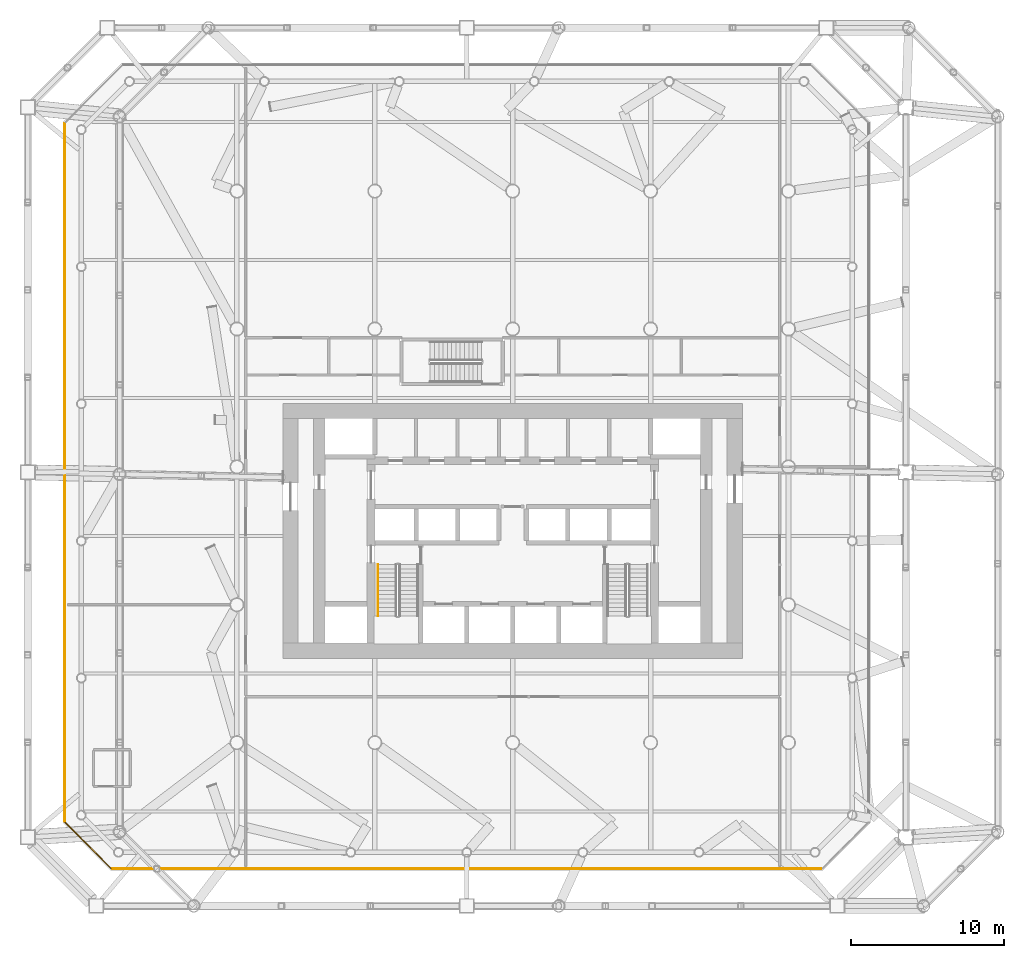
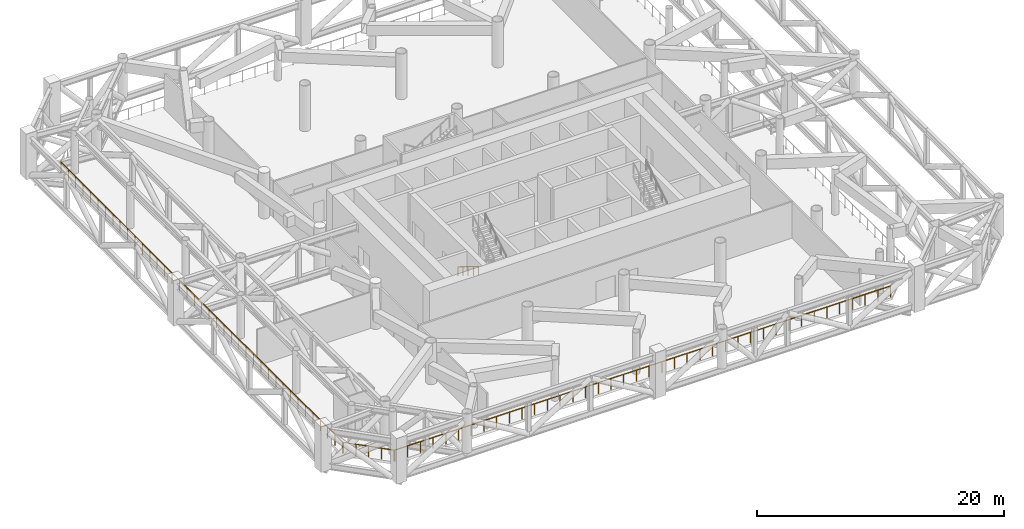
# One storey, part 17 of 22: 4 railings.
"""IFC4 building model written with IfcOpenShell, lengths in metres."""

from ifc_helpers import new_model, si_unit, direction, frame, origin, origin_2d, place, context, subcontext, project, spatial, circle, extrude, material, type_object, element, save


model = new_model("IFC4")

# Units and contexts
model_context = context("Model", 3, precision=1e-05, world=origin(), true_north=direction((0.0, 1.0)))
body_context = subcontext(model_context, "Body", "Model", "MODEL_VIEW")
ifc_project = project(units=[si_unit("LENGTHUNIT", "METRE"), si_unit("AREAUNIT", "SQUARE_METRE"), si_unit("VOLUMEUNIT", "CUBIC_METRE"), si_unit("PLANEANGLEUNIT", "RADIAN"), si_unit("MASSUNIT", "GRAM", prefix="KILO")], contexts=[model_context])

# Site, building, storey
site_placement = place(None, origin())
site = spatial("IfcSite", under=ifc_project, at=site_placement, CompositionType="ELEMENT")
building_placement = place(site_placement, origin())
building = spatial("IfcBuilding", under=site, at=building_placement, Name="Tskaro Facet Tower", CompositionType="ELEMENT")
storey_placement = place(building_placement, frame((0.0, 0.0, 57.60009765625)))
storey = spatial("IfcBuildingStorey", under=building, at=storey_placement, Name="L13", CompositionType="ELEMENT", Elevation=57.60009765625)

# Railings
ifc_material_1 = material(Name="Bronze anodised aluminium 6063-T6", Category="aluminium")
railing_type_1 = type_object("IfcRailingType", Name="Bronze guard rail (GD1)", PredefinedType="GUARDRAIL", material=ifc_material_1)
railing_1_placement = place(storey_placement, frame((-26.131103515625, -26.237060546875, 0.0)))
element("IfcRailing", 1, at=railing_1_placement, inside=storey, type_object=railing_type_1, Name="Guard L13", PredefinedType="GUARDRAIL", context=body_context, shape_type="SweptSolid", body=[
    extrude(circle(Radius=0.02490234375, at=origin_2d()), frame((0.0, 0.0, 1.0751953125), z_axis=(1.0, 0.0, 0.0), x_axis=(0.0, 1.0, 0.0)), (0.0, 0.0, 1.0), 46.26220703125),
    extrude(circle(Radius=0.02001953125, at=origin_2d()), origin(), (0.0, 0.0, 1.0), 1.050048828125),
    extrude(circle(Radius=0.02001953125, at=origin_2d()), frame((1.186279296875, 0.0, 0.0)), (0.0, 0.0, 1.0), 1.050048828125),
    extrude(circle(Radius=0.02001953125, at=origin_2d()), frame((2.372314453125, 0.0, 0.0)), (0.0, 0.0, 1.0), 1.050048828125),
    extrude(circle(Radius=0.02001953125, at=origin_2d()), frame((3.55859375, 0.0, 0.0)), (0.0, 0.0, 1.0), 1.050048828125),
    extrude(circle(Radius=0.02001953125, at=origin_2d()), frame((4.744873046875, 0.0, 0.0)), (0.0, 0.0, 1.0), 1.050048828125),
    extrude(circle(Radius=0.02001953125, at=origin_2d()), frame((5.93115234375, 0.0, 0.0)), (0.0, 0.0, 1.0), 1.050048828125),
    extrude(circle(Radius=0.02001953125, at=origin_2d()), frame((7.1171875, 0.0, 0.0)), (0.0, 0.0, 1.0), 1.050048828125),
    extrude(circle(Radius=0.02001953125, at=origin_2d()), frame((8.303466796875, 0.0, 0.0)), (0.0, 0.0, 1.0), 1.050048828125),
    extrude(circle(Radius=0.02001953125, at=origin_2d()), frame((9.48974609375, 0.0, 0.0)), (0.0, 0.0, 1.0), 1.050048828125),
    extrude(circle(Radius=0.02001953125, at=origin_2d()), frame((10.67578125, 0.0, 0.0)), (0.0, 0.0, 1.0), 1.050048828125),
    extrude(circle(Radius=0.02001953125, at=origin_2d()), frame((11.862060546875, 0.0, 0.0)), (0.0, 0.0, 1.0), 1.050048828125),
    extrude(circle(Radius=0.02001953125, at=origin_2d()), frame((13.04833984375, 0.0, 0.0)), (0.0, 0.0, 1.0), 1.050048828125),
    extrude(circle(Radius=0.02001953125, at=origin_2d()), frame((14.234619140625, 0.0, 0.0)), (0.0, 0.0, 1.0), 1.050048828125),
    extrude(circle(Radius=0.02001953125, at=origin_2d()), frame((15.420654296875, 0.0, 0.0)), (0.0, 0.0, 1.0), 1.050048828125),
    extrude(circle(Radius=0.02001953125, at=origin_2d()), frame((16.60693359375, 0.0, 0.0)), (0.0, 0.0, 1.0), 1.050048828125),
    extrude(circle(Radius=0.02001953125, at=origin_2d()), frame((17.793212890625, 0.0, 0.0)), (0.0, 0.0, 1.0), 1.050048828125),
    extrude(circle(Radius=0.02001953125, at=origin_2d()), frame((18.979248046875, 0.0, 0.0)), (0.0, 0.0, 1.0), 1.050048828125),
    extrude(circle(Radius=0.02001953125, at=origin_2d()), frame((20.16552734375, 0.0, 0.0)), (0.0, 0.0, 1.0), 1.050048828125),
    extrude(circle(Radius=0.02001953125, at=origin_2d()), frame((21.351806640625, 0.0, 0.0)), (0.0, 0.0, 1.0), 1.050048828125),
    extrude(circle(Radius=0.02001953125, at=origin_2d()), frame((22.5380859375, 0.0, 0.0)), (0.0, 0.0, 1.0), 1.050048828125),
    extrude(circle(Radius=0.02001953125, at=origin_2d()), frame((23.72412109375, 0.0, 0.0)), (0.0, 0.0, 1.0), 1.050048828125),
    extrude(circle(Radius=0.02001953125, at=origin_2d()), frame((24.910400390625, 0.0, 0.0)), (0.0, 0.0, 1.0), 1.050048828125),
    extrude(circle(Radius=0.02001953125, at=origin_2d()), frame((26.0966796875, 0.0, 0.0)), (0.0, 0.0, 1.0), 1.050048828125),
    extrude(circle(Radius=0.02001953125, at=origin_2d()), frame((27.282958984375, 0.0, 0.0)), (0.0, 0.0, 1.0), 1.050048828125),
    extrude(circle(Radius=0.02001953125, at=origin_2d()), frame((28.468994140625, 0.0, 0.0)), (0.0, 0.0, 1.0), 1.050048828125),
    extrude(circle(Radius=0.02001953125, at=origin_2d()), frame((29.6552734375, 0.0, 0.0)), (0.0, 0.0, 1.0), 1.050048828125),
    extrude(circle(Radius=0.02001953125, at=origin_2d()), frame((30.841552734375, 0.0, 0.0)), (0.0, 0.0, 1.0), 1.050048828125),
    extrude(circle(Radius=0.02001953125, at=origin_2d()), frame((32.027587890625, 0.0, 0.0)), (0.0, 0.0, 1.0), 1.050048828125),
    extrude(circle(Radius=0.02001953125, at=origin_2d()), frame((33.2138671875, 0.0, 0.0)), (0.0, 0.0, 1.0), 1.050048828125),
    extrude(circle(Radius=0.02001953125, at=origin_2d()), frame((34.400146484375, 0.0, 0.0)), (0.0, 0.0, 1.0), 1.050048828125),
    extrude(circle(Radius=0.02001953125, at=origin_2d()), frame((35.58642578125, 0.0, 0.0)), (0.0, 0.0, 1.0), 1.050048828125),
    extrude(circle(Radius=0.02001953125, at=origin_2d()), frame((36.7724609375, 0.0, 0.0)), (0.0, 0.0, 1.0), 1.050048828125),
    extrude(circle(Radius=0.02001953125, at=origin_2d()), frame((37.958740234375, 0.0, 0.0)), (0.0, 0.0, 1.0), 1.050048828125),
    extrude(circle(Radius=0.02001953125, at=origin_2d()), frame((39.14501953125, 0.0, 0.0)), (0.0, 0.0, 1.0), 1.050048828125),
    extrude(circle(Radius=0.02001953125, at=origin_2d()), frame((40.3310546875, 0.0, 0.0)), (0.0, 0.0, 1.0), 1.050048828125),
    extrude(circle(Radius=0.02001953125, at=origin_2d()), frame((41.517333984375, 0.0, 0.0)), (0.0, 0.0, 1.0), 1.050048828125),
    extrude(circle(Radius=0.02001953125, at=origin_2d()), frame((42.70361328125, 0.0, 0.0)), (0.0, 0.0, 1.0), 1.050048828125),
    extrude(circle(Radius=0.02001953125, at=origin_2d()), frame((43.889892578125, 0.0, 0.0)), (0.0, 0.0, 1.0), 1.050048828125),
    extrude(circle(Radius=0.02001953125, at=origin_2d()), frame((45.075927734375, 0.0, 0.0)), (0.0, 0.0, 1.0), 1.050048828125),
    extrude(circle(Radius=0.02001953125, at=origin_2d()), frame((46.26220703125, 0.0, 0.0)), (0.0, 0.0, 1.0), 1.050048828125),
])
railing_2_placement = place(storey_placement, frame((-29.237060546875, 22.4140625, 0.0)))
element("IfcRailing", 2, at=railing_2_placement, inside=storey, type_object=railing_type_1, Name="Guard L13", PredefinedType="GUARDRAIL", context=body_context, shape_type="SweptSolid", body=[
    extrude(circle(Radius=0.02490234375, at=origin_2d()), frame((0.0, 0.0, 1.0751953125), z_axis=(0.0, -1.0, 0.0), x_axis=(1.0, 0.0, 0.0)), (0.0, 0.0, 1.0), 45.545166015625),
    extrude(circle(Radius=0.02001953125, at=origin_2d()), origin(), (0.0, 0.0, 1.0), 1.050048828125),
    extrude(circle(Radius=0.02001953125, at=origin_2d()), frame((0.0, -1.198486328125, 0.0)), (0.0, 0.0, 1.0), 1.050048828125),
    extrude(circle(Radius=0.02001953125, at=origin_2d()), frame((0.0, -2.397216796875, 0.0)), (0.0, 0.0, 1.0), 1.050048828125),
    extrude(circle(Radius=0.02001953125, at=origin_2d()), frame((0.0, -3.595703125, 0.0)), (0.0, 0.0, 1.0), 1.050048828125),
    extrude(circle(Radius=0.02001953125, at=origin_2d()), frame((0.0, -4.794189453125, 0.0)), (0.0, 0.0, 1.0), 1.050048828125),
    extrude(circle(Radius=0.02001953125, at=origin_2d()), frame((0.0, -5.99267578125, 0.0)), (0.0, 0.0, 1.0), 1.050048828125),
    extrude(circle(Radius=0.02001953125, at=origin_2d()), frame((0.0, -7.19140625, 0.0)), (0.0, 0.0, 1.0), 1.050048828125),
    extrude(circle(Radius=0.02001953125, at=origin_2d()), frame((0.0, -8.389892578125, 0.0)), (0.0, 0.0, 1.0), 1.050048828125),
    extrude(circle(Radius=0.02001953125, at=origin_2d()), frame((0.0, -9.58837890625, 0.0)), (0.0, 0.0, 1.0), 1.050048828125),
    extrude(circle(Radius=0.02001953125, at=origin_2d()), frame((0.0, -10.787109375, 0.0)), (0.0, 0.0, 1.0), 1.050048828125),
    extrude(circle(Radius=0.02001953125, at=origin_2d()), frame((0.0, -11.985595703125, 0.0)), (0.0, 0.0, 1.0), 1.050048828125),
    extrude(circle(Radius=0.02001953125, at=origin_2d()), frame((0.0, -13.18408203125, 0.0)), (0.0, 0.0, 1.0), 1.050048828125),
    extrude(circle(Radius=0.02001953125, at=origin_2d()), frame((0.0, -14.382568359375, 0.0)), (0.0, 0.0, 1.0), 1.050048828125),
    extrude(circle(Radius=0.02001953125, at=origin_2d()), frame((0.0, -15.581298828125, 0.0)), (0.0, 0.0, 1.0), 1.050048828125),
    extrude(circle(Radius=0.02001953125, at=origin_2d()), frame((0.0, -16.77978515625, 0.0)), (0.0, 0.0, 1.0), 1.050048828125),
    extrude(circle(Radius=0.02001953125, at=origin_2d()), frame((0.0, -17.978271484375, 0.0)), (0.0, 0.0, 1.0), 1.050048828125),
    extrude(circle(Radius=0.02001953125, at=origin_2d()), frame((0.0, -19.177001953125, 0.0)), (0.0, 0.0, 1.0), 1.050048828125),
    extrude(circle(Radius=0.02001953125, at=origin_2d()), frame((0.0, -20.37548828125, 0.0)), (0.0, 0.0, 1.0), 1.050048828125),
    extrude(circle(Radius=0.02001953125, at=origin_2d()), frame((0.0, -21.573974609375, 0.0)), (0.0, 0.0, 1.0), 1.050048828125),
    extrude(circle(Radius=0.02001953125, at=origin_2d()), frame((0.0, -22.7724609375, 0.0)), (0.0, 0.0, 1.0), 1.050048828125),
    extrude(circle(Radius=0.02001953125, at=origin_2d()), frame((0.0, -23.97119140625, 0.0)), (0.0, 0.0, 1.0), 1.050048828125),
    extrude(circle(Radius=0.02001953125, at=origin_2d()), frame((0.0, -25.169677734375, 0.0)), (0.0, 0.0, 1.0), 1.050048828125),
    extrude(circle(Radius=0.02001953125, at=origin_2d()), frame((0.0, -26.3681640625, 0.0)), (0.0, 0.0, 1.0), 1.050048828125),
    extrude(circle(Radius=0.02001953125, at=origin_2d()), frame((0.0, -27.56689453125, 0.0)), (0.0, 0.0, 1.0), 1.050048828125),
    extrude(circle(Radius=0.02001953125, at=origin_2d()), frame((0.0, -28.765380859375, 0.0)), (0.0, 0.0, 1.0), 1.050048828125),
    extrude(circle(Radius=0.02001953125, at=origin_2d()), frame((0.0, -29.9638671875, 0.0)), (0.0, 0.0, 1.0), 1.050048828125),
    extrude(circle(Radius=0.02001953125, at=origin_2d()), frame((0.0, -31.16259765625, 0.0)), (0.0, 0.0, 1.0), 1.050048828125),
    extrude(circle(Radius=0.02001953125, at=origin_2d()), frame((0.0, -32.361083984375, 0.0)), (0.0, 0.0, 1.0), 1.050048828125),
    extrude(circle(Radius=0.02001953125, at=origin_2d()), frame((0.0, -33.5595703125, 0.0)), (0.0, 0.0, 1.0), 1.050048828125),
    extrude(circle(Radius=0.02001953125, at=origin_2d()), frame((0.0, -34.758056640625, 0.0)), (0.0, 0.0, 1.0), 1.050048828125),
    extrude(circle(Radius=0.02001953125, at=origin_2d()), frame((0.0, -35.956787109375, 0.0)), (0.0, 0.0, 1.0), 1.050048828125),
    extrude(circle(Radius=0.02001953125, at=origin_2d()), frame((0.0, -37.1552734375, 0.0)), (0.0, 0.0, 1.0), 1.050048828125),
    extrude(circle(Radius=0.02001953125, at=origin_2d()), frame((0.0, -38.353759765625, 0.0)), (0.0, 0.0, 1.0), 1.050048828125),
    extrude(circle(Radius=0.02001953125, at=origin_2d()), frame((0.0, -39.552490234375, 0.0)), (0.0, 0.0, 1.0), 1.050048828125),
    extrude(circle(Radius=0.02001953125, at=origin_2d()), frame((0.0, -40.7509765625, 0.0)), (0.0, 0.0, 1.0), 1.050048828125),
    extrude(circle(Radius=0.02001953125, at=origin_2d()), frame((0.0, -41.949462890625, 0.0)), (0.0, 0.0, 1.0), 1.050048828125),
    extrude(circle(Radius=0.02001953125, at=origin_2d()), frame((0.0, -43.14794921875, 0.0)), (0.0, 0.0, 1.0), 1.050048828125),
    extrude(circle(Radius=0.02001953125, at=origin_2d()), frame((0.0, -44.3466796875, 0.0)), (0.0, 0.0, 1.0), 1.050048828125),
    extrude(circle(Radius=0.02001953125, at=origin_2d()), frame((0.0, -45.545166015625, 0.0)), (0.0, 0.0, 1.0), 1.050048828125),
])
railing_3_placement = place(storey_placement, frame((-29.205078125, -23.207763671875, 0.0)))
element("IfcRailing", 3, at=railing_3_placement, inside=storey, type_object=railing_type_1, Name="Guard L13", PredefinedType="GUARDRAIL", context=body_context, shape_type="SweptSolid", body=[
    extrude(circle(Radius=0.02490234375, at=origin_2d()), frame((0.0, 0.0, 1.0751953125), z_axis=(0.707106781187, -0.707106781187, 0.0), x_axis=(0.707106781187, 0.707106781187, 0.0)), (0.0, 0.0, 1.0), 4.23876953125),
    extrude(circle(Radius=0.02001953125, at=origin_2d()), origin(), (0.0, 0.0, 1.0), 1.050048828125),
    extrude(circle(Radius=0.02001953125, at=origin_2d()), frame((0.749267578125, -0.749267578125, 0.0)), (0.0, 0.0, 1.0), 1.050048828125),
    extrude(circle(Radius=0.02001953125, at=origin_2d()), frame((1.49853515625, -1.49853515625, 0.0)), (0.0, 0.0, 1.0), 1.050048828125),
    extrude(circle(Radius=0.02001953125, at=origin_2d()), frame((2.248046875, -2.248046875, 0.0)), (0.0, 0.0, 1.0), 1.050048828125),
    extrude(circle(Radius=0.02001953125, at=origin_2d()), frame((2.997314453125, -2.997314453125, 0.0)), (0.0, 0.0, 1.0), 1.050048828125),
])
ifc_material_2 = material(Name="Stainless steel", Category="steel")
railing_type_2 = type_object("IfcRailingType", Name="RL-HANDRAIL-900", PredefinedType="HANDRAIL", material=ifc_material_2)
railing_4_placement = place(storey_placement, frame((-8.800048828125, -6.375, 0.173095703125)))
element("IfcRailing", 4, at=railing_4_placement, inside=storey, type_object=railing_type_2, Name="L13 ST-1 stair handrail 1", PredefinedType="HANDRAIL", context=body_context, shape_type="SweptSolid", body=[
    extrude(circle(Radius=0.02392578125, at=origin_2d()), frame((0.0, 0.0, 0.8759765625), z_axis=(0.0, -0.850623216509, 0.525775754039), x_axis=(1.0, 0.0, 0.0)), (0.0, 0.0, 1.0), 3.9501953125),
    extrude(circle(Radius=0.02099609375, at=origin_2d()), origin(), (0.0, 0.0, 1.0), 0.851806640625),
    extrude(circle(Radius=0.02099609375, at=origin_2d()), frame((0.0, -0.840087890625, 0.519287109375)), (0.0, 0.0, 1.0), 0.851806640625),
    extrude(circle(Radius=0.02099609375, at=origin_2d()), frame((0.0, -1.68017578125, 1.03857421875)), (0.0, 0.0, 1.0), 0.851806640625),
    extrude(circle(Radius=0.02099609375, at=origin_2d()), frame((0.0, -2.52001953125, 1.5576171875)), (0.0, 0.0, 1.0), 0.851806640625),
    extrude(circle(Radius=0.02099609375, at=origin_2d()), frame((0.0, -3.360107421875, 2.076904296875)), (0.0, 0.0, 1.0), 0.851806640625),
])

save(model, "model.ifc")
